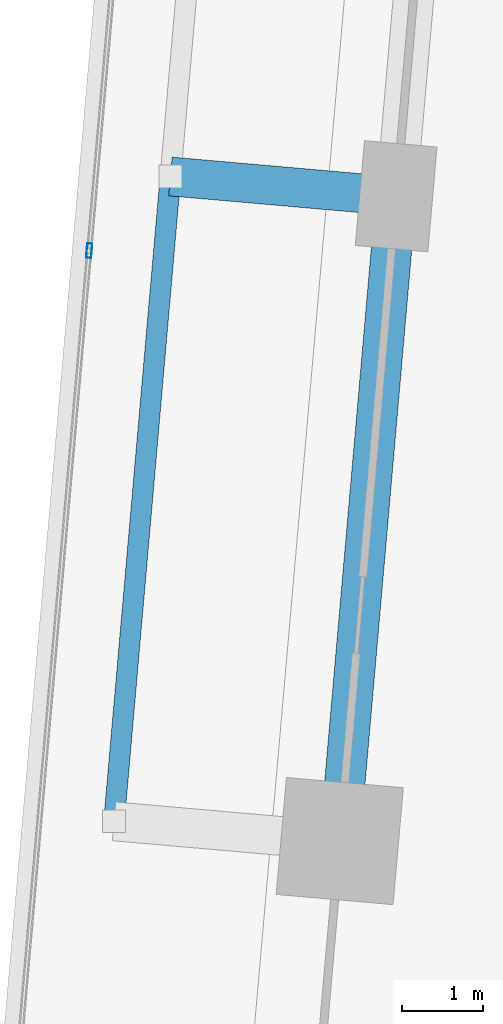
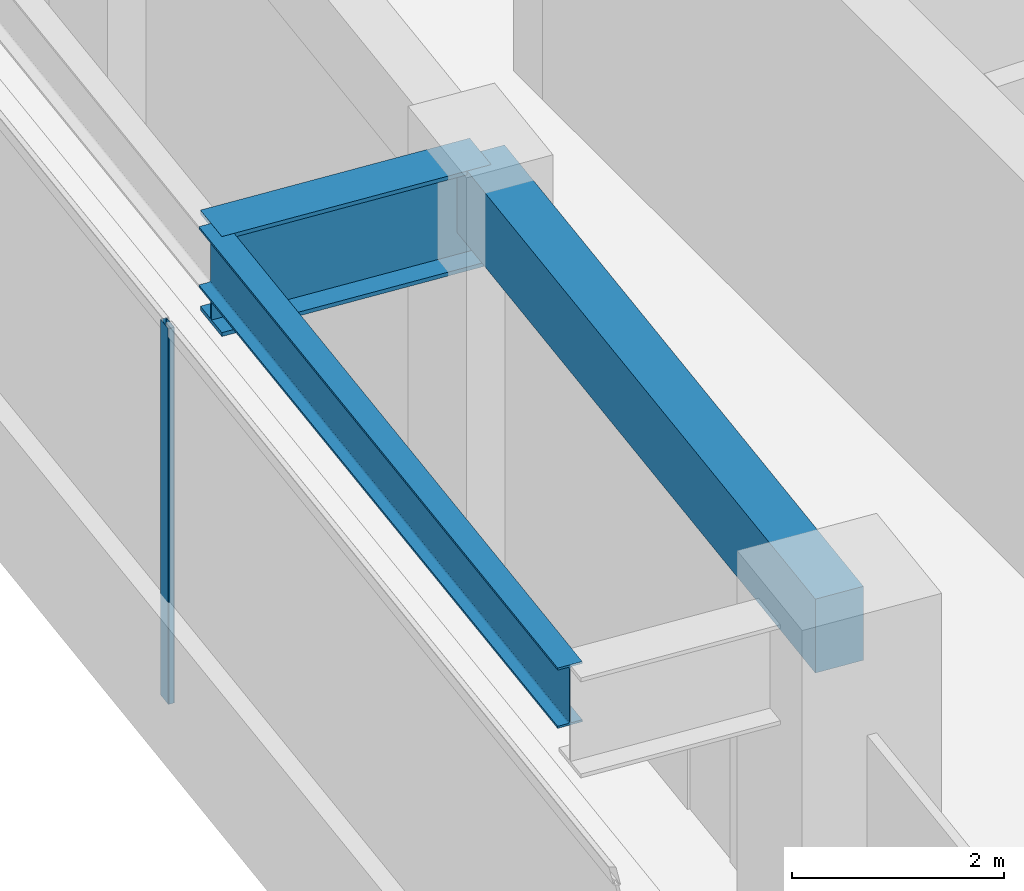
# One storey, part 6 of 24: 3 beams, 1 member, 1 element without a shape of its own.
"""IFC4 building model written with IfcOpenShell, lengths in metres."""

from ifc_helpers import new_model, si_unit, direction, frame, origin, origin_2d, place, context, subcontext, project, spatial, rectangle, hollow_rectangle, i_section, extrude, source, transform, mapped, material, material_profile, profile_set, type_object, element, aggregate, save


model = new_model("IFC4")

# Units and contexts
model_context = context("Model", 3, precision=1e-05, world=origin(), true_north=direction((0.0, 1.0)))
body_context = subcontext(model_context, "Body", "Model", "MODEL_VIEW")
ifc_project = project(units=[si_unit("LENGTHUNIT", "METRE"), si_unit("AREAUNIT", "SQUARE_METRE"), si_unit("VOLUMEUNIT", "CUBIC_METRE"), si_unit("PLANEANGLEUNIT", "RADIAN"), si_unit("MASSUNIT", "GRAM", prefix="KILO")], contexts=[model_context])

# Site, building, storey
site_placement = place(None, origin())
site = spatial("IfcSite", under=ifc_project, at=site_placement, CompositionType="ELEMENT")
building_placement = place(site_placement, origin())
building = spatial("IfcBuilding", under=site, at=building_placement, Name="Torre Montelarca", CompositionType="ELEMENT")
storey_placement = place(building_placement, frame((0.0, 0.0, 47.199951171875)))
storey = spatial("IfcBuildingStorey", under=building, at=storey_placement, Name="L10", CompositionType="ELEMENT", Elevation=47.199951171875)

# Beams
ifc_material_1 = material(Name="Concrete C55/67", Category="concrete")
ifc_material_profile_1 = material_profile(ifc_material_1, rectangle(XDim=0.5, YDim=0.85009765625, at=origin_2d()), Name="RCB500X850", Category="concrete")
ifc_profile_set_1 = profile_set([ifc_material_profile_1], Name="Concrete C55/67")
beam_type_1 = type_object("IfcBeamType", Name="BM-SP-RC850-EXT", PredefinedType="SPANDREL", material=ifc_profile_set_1)
shared_shape_1 = source(origin(), body_context, "Body", "SweptSolid", [
    extrude(rectangle(XDim=0.5, YDim=0.85009765625, at=origin_2d()), origin(), (0.0, 0.0, 1.0), 8.0),
])
beam_1_placement = place(storey_placement, frame((4.016845703125, 25.4990234375, 4.135009765625), z_axis=(0.087159000208, 0.996194413095, 0.0), x_axis=(-0.996194413095, 0.087159000208, 0.0)))
element("IfcBeam", 1, at=beam_1_placement, inside=storey, type_object=beam_type_1, Name="L10 Grid Girder Y 24.0-32.0 at X=4.7", PredefinedType="SPANDREL", context=body_context, shape_type="MappedRepresentation", body=[
    mapped(shared_shape_1, transform((0.0, 0.0, 0.0), scale=1.0)),
])
ifc_material_2 = material(Name="Steel ASTM A992 Grade 50", Category="steel")
ifc_material_profile_2 = material_profile(ifc_material_2, i_section(OverallWidth=0.256103515625, OverallDepth=0.693115234375, WebThickness=0.014404296875, FlangeThickness=0.023681640625, FilletRadius=0.01806640625, at=origin_2d()), Name="W690X170", Category="steel")
ifc_profile_set_2 = profile_set([ifc_material_profile_2], Name="Steel ASTM A992 Grade 50")
beam_type_2 = type_object("IfcBeamType", Name="BM-G-W690-EXT", PredefinedType="BEAM", material=ifc_profile_set_2)
shared_shape_2 = source(origin(), body_context, "Body", "SweptSolid", [
    extrude(i_section(OverallWidth=0.256103515625, OverallDepth=0.693115234375, WebThickness=0.014404296875, FlangeThickness=0.023681640625, FilletRadius=0.01806640625, at=origin_2d()), origin(), (0.0, 0.0, 1.0), 8.0),
])
beam_2_placement = place(storey_placement, frame((1.2275390625, 25.7431640625, 4.213134765625), z_axis=(0.087159000208, 0.996194413095, 0.0), x_axis=(-0.996194413095, 0.087159000208, 0.0)))
element("IfcBeam", 2, at=beam_2_placement, inside=storey, type_object=beam_type_2, Name="L10 Sliding Tray Edge Girder West 24.0-32.0m (FLR)", PredefinedType="BEAM", context=body_context, shape_type="MappedRepresentation", body=[
    mapped(shared_shape_2, transform((0.0, 0.0, 0.0), scale=1.0)),
])
ifc_material_3 = material(Name="Steel ASTM A572 Grade 50", Category="steel")
ifc_material_profile_3 = material_profile(ifc_material_3, i_section(OverallWidth=0.47998046875, OverallDepth=1.14990234375, WebThickness=0.02197265625, FlangeThickness=0.044921875, at=origin_2d()), Name="PG1150X480X22X45", Category="steel")
ifc_profile_set_3 = profile_set([ifc_material_profile_3], Name="Steel ASTM A572 Grade 50")
beam_type_3 = type_object("IfcBeamType", Name="BM-CG-PG1400-EXT", PredefinedType="USERDEFINED", material=ifc_profile_set_3)
shared_shape_3 = source(origin(), body_context, "Body", "SweptSolid", [
    extrude(i_section(OverallWidth=0.47998046875, OverallDepth=1.14990234375, WebThickness=0.02197265625, FlangeThickness=0.044921875, at=origin_2d()), origin(), (0.0, 0.0, 1.0), 2.800048828125),
])
beam_3_placement = place(storey_placement, frame((4.714111328125, 33.468505859375, 3.985107421875), z_axis=(-0.996191351034, 0.087193991338, 0.0), x_axis=(-0.087193991338, -0.996191351034, 0.0)))
element("IfcBeam", 3, at=beam_3_placement, inside=storey, type_object=beam_type_3, Name="L10 Sliding Tray Cantilever Girder West Y=32.0m (FLR)", ObjectType="CANTILEVER GIRDER", PredefinedType="USERDEFINED", context=body_context, shape_type="MappedRepresentation", body=[
    mapped(shared_shape_3, transform((0.0, 0.0, 0.0), scale=1.0)),
])

# Curtain wall, member
ifc_material_4 = material(Name="Insulated low-E laminated glass", Category="glass")
curtain_wall_type = type_object("IfcCurtainWallType", Name="CW-SYS-Z1", PredefinedType="USERDEFINED", material=ifc_material_4)
curtain_wall_placement = place(storey_placement, origin())
curtain_wall = element("IfcCurtainWall", 4, at=curtain_wall_placement, inside=storey, type_object=curtain_wall_type, Name="L10 Curtain Wall Run CW-T3-L10-E10-B1", ObjectType="UNITISED GLAZING", PredefinedType="USERDEFINED")
ifc_material_5 = material(Name="Anodised aluminium AA 6063-T6", Category="aluminium")
ifc_material_profile_4 = material_profile(ifc_material_5, hollow_rectangle(XDim=0.06494140625, YDim=0.179931640625, WallThickness=0.00390625, InnerFilletRadius=0.00390625, OuterFilletRadius=0.008056640625, at=origin_2d()), Name="ALU65X180X4", Category="aluminium")
ifc_profile_set_4 = profile_set([ifc_material_profile_4], Name="Anodised aluminium AA 6063-T6")
member_type = type_object("IfcMemberType", Name="CWM-ALU180", PredefinedType="MULLION", material=ifc_profile_set_4)
shared_shape_4 = source(origin(), body_context, "Body", "SweptSolid", [
    extrude(hollow_rectangle(XDim=0.06494140625, YDim=0.179931640625, WallThickness=0.00390625, InnerFilletRadius=0.00390625, OuterFilletRadius=0.008056640625, at=origin_2d()), origin(), (0.0, 0.0, 1.0), 4.320068359375),
])
member_placement = place(storey_placement, frame((0.921142578125, 32.796630859375, 0.0), z_axis=(0.0, 0.0, 1.0), x_axis=(0.99619413316, -0.087162199711, 0.0)))
member = element("IfcMember", 5, at=member_placement, type_object=member_type, Name="CW mullion 2", PredefinedType="MULLION", context=body_context, shape_type="MappedRepresentation", body=[
    mapped(shared_shape_4, transform((0.0, 0.0, 0.0), scale=1.0)),
])
aggregate(curtain_wall, [member])

save(model, "model.ifc")
